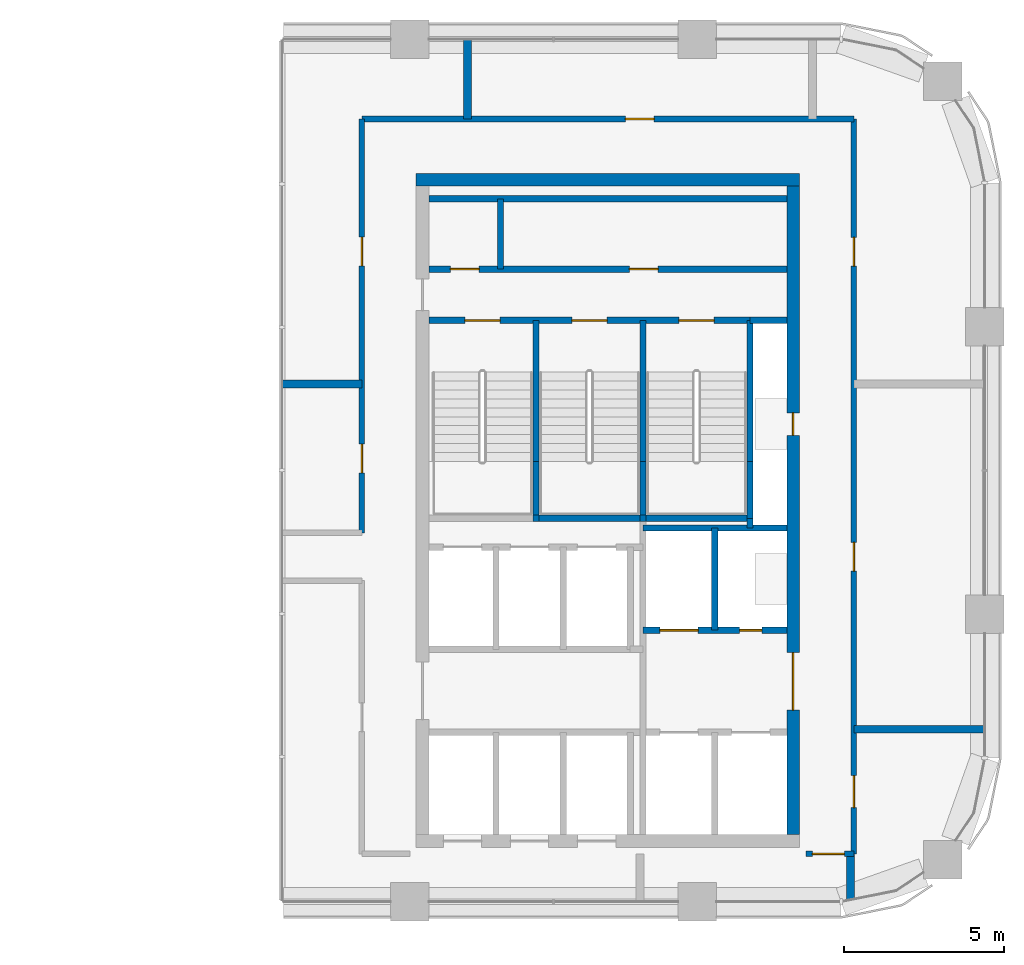
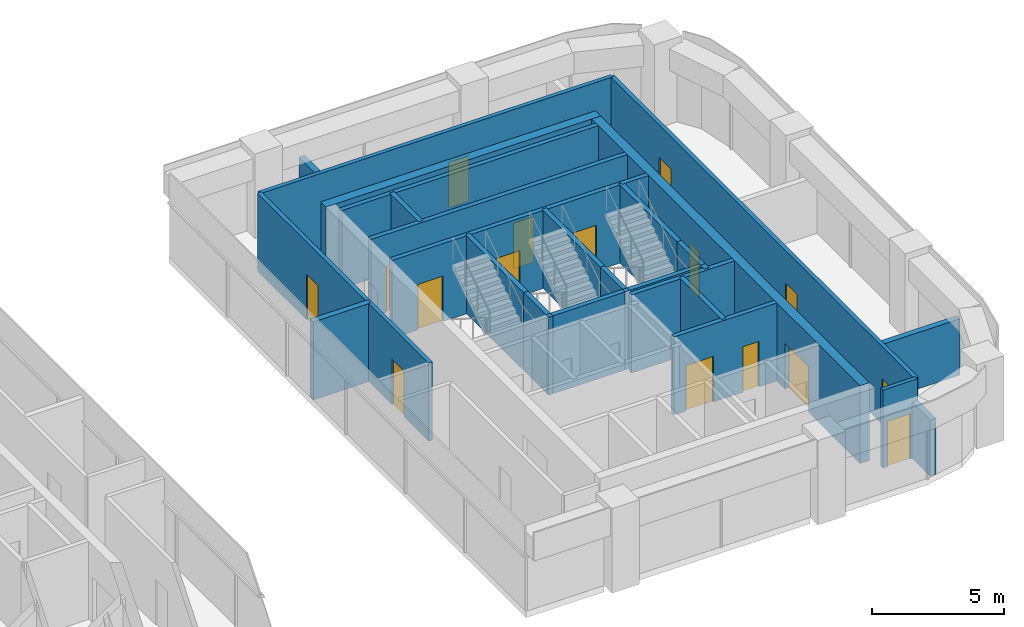
# One storey, part 8 of 12: 29 walls, 16 doors, 16 openings.
"""IFC4 building model written with IfcOpenShell, lengths in metres."""

from ifc_helpers import new_model, si_unit, direction, frame, frame_2d, origin, place, context, subcontext, project, spatial, rectangle, extrude, material, layer, layer_set, type_object, element, fill, save


model = new_model("IFC4")

# Units and contexts
model_context = context("Model", 3, precision=1e-05, world=origin(), true_north=direction((0.0, 1.0)))
body_context = subcontext(model_context, "Body", "Model", "MODEL_VIEW")
ifc_project = project(units=[si_unit("LENGTHUNIT", "METRE"), si_unit("AREAUNIT", "SQUARE_METRE"), si_unit("VOLUMEUNIT", "CUBIC_METRE"), si_unit("PLANEANGLEUNIT", "RADIAN"), si_unit("MASSUNIT", "GRAM", prefix="KILO")], contexts=[model_context])

# Site, building, storey
site_placement = place(None, origin())
site = spatial("IfcSite", under=ifc_project, at=site_placement, CompositionType="ELEMENT")
building_placement = place(site_placement, origin())
building = spatial("IfcBuilding", under=site, at=building_placement, Name="Tessera Arch", CompositionType="ELEMENT")
storey_placement = place(building_placement, frame((0.0, 0.0, 207.199951171875)))
storey = spatial("IfcBuildingStorey", under=building, at=storey_placement, Name="L49", CompositionType="ELEMENT", Elevation=207.199951171875)

# Wall
ifc_material_1 = material(Name="Gypsum board on steel stud", Category="steel")
ifc_layer_1 = layer(ifc_material_1, 0.125)
ifc_layer_set_1 = layer_set([ifc_layer_1], Name="Core partition 125 EI 60")
wall_type_1 = type_object("IfcWallType", Name="Core partition 125 EI 60", PredefinedType="PARTITIONING", material=ifc_layer_set_1)
wall_1_placement = place(storey_placement, frame((38.840087890625, 46.800048828125, 0.0), z_axis=(0.0, 0.0, 1.0), x_axis=(0.0, 1.0, 0.0)))
element("IfcWall", 1, at=wall_1_placement, inside=storey, type_object=wall_type_1, Name="L49 C1 partition wall 3", PredefinedType="PARTITIONING", context=body_context, shape_type="SweptSolid", body=[
    extrude(rectangle(XDim=2.199951171875, YDim=0.199951171875, at=frame_2d((1.10009765625, 0.0))), origin(), (0.0, 0.0, 1.0), 3.60009765625),
])

# Wall, openings, doors
wall_2_placement = place(storey_placement, frame((36.60009765625, 46.800048828125, 0.0), z_axis=(0.0, 0.0, 1.0), x_axis=(1.0, 0.0, 0.0)))
wall_2 = element("IfcWall", 2, at=wall_2_placement, inside=storey, type_object=wall_type_1, Name="L49 C1 partition wall 31", PredefinedType="PARTITIONING", context=body_context, shape_type="SweptSolid", body=[
    extrude(rectangle(XDim=11.199951171875, YDim=0.199951171875, at=frame_2d((5.60009765625, 0.0))), origin(), (0.0, 0.0, 1.0), 3.60009765625),
])
opening_1_placement = place(wall_2_placement, frame((0.669921875, 0.0, 0.0)))
opening_1 = element("IfcOpeningElement", 3, at=opening_1_placement, cuts=wall_2, Name="Opening L49-C18", PredefinedType="OPENING", context=body_context, shape_type="SweptSolid", body=[
    extrude(rectangle(XDim=0.89990234375, YDim=2.10009765625, at=frame_2d((0.449951171875, 1.050048828125))), frame((0.0, 0.10986328125, 0.0), z_axis=(0.0, -1.0, 0.0), x_axis=(1.0, 0.0, 0.0)), (0.0, 0.0, 1.0), 0.219970703125),
])
opening_2_placement = place(wall_2_placement, frame((6.27001953125, 0.0, 0.0)))
opening_2 = element("IfcOpeningElement", 4, at=opening_2_placement, cuts=wall_2, Name="Opening L49-C19", PredefinedType="OPENING", context=body_context, shape_type="SweptSolid", body=[
    extrude(rectangle(XDim=0.89990234375, YDim=2.10009765625, at=frame_2d((0.449951171875, 1.050048828125))), frame((0.0, 0.10986328125, 0.0), z_axis=(0.0, -1.0, 0.0), x_axis=(1.0, 0.0, 0.0)), (0.0, 0.0, 1.0), 0.219970703125),
])
ifc_material_2 = material(Name="Steel door leaf", Category="steel")
door_type_1 = type_object("IfcDoorType", Name="Store door FD30S 900 x 2100", OperationType="SINGLE_SWING_LEFT", PredefinedType="DOOR", material=ifc_material_2)
door_1_placement = place(opening_1_placement, origin())
door_1 = element("IfcDoor", 5, at=door_1_placement, inside=storey, type_object=door_type_1, Name="L49 C1 door 18 C18 type D09", OperationType="SINGLE_SWING_LEFT", OverallHeight=2.10009765625, OverallWidth=0.89990234375, PredefinedType="DOOR", context=body_context, shape_type="SweptSolid", body=[
    extrude(rectangle(XDim=0.89990234375, YDim=2.10009765625, at=frame_2d((0.449951171875, 1.050048828125))), frame((0.0, 0.02490234375, 0.0), z_axis=(0.0, -1.0, 0.0), x_axis=(1.0, 0.0, 0.0)), (0.0, 0.0, 1.0), 0.050048828125),
])
fill(opening_1, door_1)
door_2_placement = place(opening_2_placement, origin())
door_2 = element("IfcDoor", 6, at=door_2_placement, inside=storey, type_object=door_type_1, Name="L49 C1 door 19 C19 type D09", OperationType="SINGLE_SWING_RIGHT", OverallHeight=2.10009765625, OverallWidth=0.89990234375, PredefinedType="DOOR", context=body_context, shape_type="SweptSolid", body=[
    extrude(rectangle(XDim=0.89990234375, YDim=2.10009765625, at=frame_2d((0.449951171875, 1.050048828125))), frame((0.0, 0.02490234375, 0.0), z_axis=(0.0, -1.0, 0.0), x_axis=(1.0, 0.0, 0.0)), (0.0, 0.0, 1.0), 0.050048828125),
])
fill(opening_2, door_2)

# Walls
wall_3_placement = place(storey_placement, frame((36.60009765625, 49.0, 0.0), z_axis=(0.0, 0.0, 1.0), x_axis=(1.0, 0.0, 0.0)))
element("IfcWall", 7, at=wall_3_placement, inside=storey, type_object=wall_type_1, Name="L49 C1 partition wall 32", PredefinedType="PARTITIONING", context=body_context, shape_type="SweptSolid", body=[
    extrude(rectangle(XDim=11.199951171875, YDim=0.199951171875, at=frame_2d((5.60009765625, 0.0))), origin(), (0.0, 0.0, 1.0), 3.60009765625),
])
ifc_material_3 = material(Name="Concrete C50/60", Category="concrete")
ifc_layer_2 = layer(ifc_material_3, 0.39990234375)
ifc_layer_set_2 = layer_set([ifc_layer_2], Name="Core shell wall 400 C50-60")
wall_type_2 = type_object("IfcWallType", Name="Core shell wall 400 C50-60", PredefinedType="SHEAR", material=ifc_layer_set_2)
wall_4_placement = place(storey_placement, frame((36.199951171875, 49.60009765625, 0.0), z_axis=(0.0, 0.0, 1.0), x_axis=(1.0, 0.0, 0.0)))
element("IfcWall", 8, at=wall_4_placement, inside=storey, type_object=wall_type_2, Name="L49 C1 core wall N", PredefinedType="SHEAR", context=body_context, shape_type="SweptSolid", body=[
    extrude(rectangle(XDim=12.0, YDim=0.39990234375, at=frame_2d((6.0, 0.0))), origin(), (0.0, 0.0, 1.0), 3.60009765625),
])

# Wall, openings, doors
wall_5_placement = place(storey_placement, frame((48.0, 29.10009765625, 0.0), z_axis=(0.0, 0.0, 1.0), x_axis=(0.0, 1.0, 0.0)))
wall_5 = element("IfcWall", 9, at=wall_5_placement, inside=storey, type_object=wall_type_2, Name="L49 C1 core wall E", PredefinedType="SHEAR", context=body_context, shape_type="SweptSolid", body=[
    extrude(rectangle(XDim=20.2998046875, YDim=0.39990234375, at=frame_2d((10.14990234375, 0.0))), origin(), (0.0, 0.0, 1.0), 3.60009765625),
])
opening_3_placement = place(wall_5_placement, frame((12.5, 0.0, 0.0)))
opening_3 = element("IfcOpeningElement", 10, at=opening_3_placement, cuts=wall_5, Name="Opening L49-C14", PredefinedType="OPENING", context=body_context, shape_type="SweptSolid", body=[
    extrude(rectangle(XDim=0.699951171875, YDim=2.10009765625, at=frame_2d((0.35009765625, 1.050048828125))), frame((0.0, 0.2099609375, 0.0), z_axis=(0.0, -1.0, 0.0), x_axis=(1.0, 0.0, 0.0)), (0.0, 0.0, 1.0), 0.419921875),
])
opening_4_placement = place(wall_5_placement, frame((3.89990234375, 0.0, 0.0)))
opening_4 = element("IfcOpeningElement", 11, at=opening_4_placement, cuts=wall_5, Name="Opening L49-C15", PredefinedType="OPENING", context=body_context, shape_type="SweptSolid", body=[
    extrude(rectangle(XDim=1.800048828125, YDim=2.10009765625, at=frame_2d((0.89990234375, 1.050048828125))), frame((0.0, 0.2099609375, 0.0), z_axis=(0.0, -1.0, 0.0), x_axis=(1.0, 0.0, 0.0)), (0.0, 0.0, 1.0), 0.419921875),
])
ifc_material_4 = material(Name="Glazed steel door leaf", Category="steel")
door_type_2 = type_object("IfcDoorType", Name="Lobby double door FD60 1800 x 2100", OperationType="DOUBLE_DOOR_SINGLE_SWING", PredefinedType="DOOR", material=ifc_material_4)
door_3_placement = place(opening_4_placement, origin())
door_3 = element("IfcDoor", 12, at=door_3_placement, inside=storey, type_object=door_type_2, Name="L49 C1 door 15 C15 type D19", OperationType="DOUBLE_DOOR_SINGLE_SWING", OverallHeight=2.10009765625, OverallWidth=1.800048828125, PredefinedType="DOOR", context=body_context, shape_type="SweptSolid", body=[
    extrude(rectangle(XDim=1.800048828125, YDim=2.10009765625, at=frame_2d((0.89990234375, 1.050048828125))), frame((0.0, 0.02490234375, 0.0), z_axis=(0.0, -1.0, 0.0), x_axis=(1.0, 0.0, 0.0)), (0.0, 0.0, 1.0), 0.050048828125),
])
fill(opening_4, door_3)
ifc_material_5 = material(Name="Steel door leaf", Category="steel")
door_type_3 = type_object("IfcDoorType", Name="Service shaft door FD60 700 x 2100", OperationType="SINGLE_SWING_LEFT", PredefinedType="DOOR", material=ifc_material_5)
door_4_placement = place(opening_3_placement, origin())
door_4 = element("IfcDoor", 13, at=door_4_placement, inside=storey, type_object=door_type_3, Name="L49 C1 door 14 C14 type D07", OperationType="SINGLE_SWING_RIGHT", OverallHeight=2.10009765625, OverallWidth=0.699951171875, PredefinedType="DOOR", context=body_context, shape_type="SweptSolid", body=[
    extrude(rectangle(XDim=0.699951171875, YDim=2.10009765625, at=frame_2d((0.35009765625, 1.050048828125))), frame((0.0, 0.02490234375, 0.0), z_axis=(0.0, -1.0, 0.0), x_axis=(1.0, 0.0, 0.0)), (0.0, 0.0, 1.0), 0.050048828125),
])
fill(opening_3, door_4)

# Wall, opening, door
ifc_material_6 = material(Name="Gypsum board on deep steel stud with mineral wool", Category="steel")
ifc_layer_3 = layer(ifc_material_6, 0.175048828125)
ifc_layer_set_3 = layer_set([ifc_layer_3], Name="Corridor wall 175 EI 60")
wall_type_3 = type_object("IfcWallType", Name="Corridor wall 175 EI 60", PredefinedType="PARTITIONING", material=ifc_layer_set_3)
wall_6_placement = place(storey_placement, frame((48.39990234375, 28.5, 0.0), z_axis=(0.0, 0.0, 1.0), x_axis=(1.0, 0.0, 0.0)))
wall_6 = element("IfcWall", 14, at=wall_6_placement, inside=storey, type_object=wall_type_3, Name="L49 partition 4", PredefinedType="PARTITIONING", context=body_context, shape_type="SweptSolid", body=[
    extrude(rectangle(XDim=1.5, YDim=0.175048828125, at=frame_2d((0.75, 0.0))), origin(), (0.0, 0.0, 1.0), 3.60009765625),
])
opening_5_placement = place(wall_6_placement, frame((0.200439453125, 0.0, 0.0)))
opening_5 = element("IfcOpeningElement", 15, at=opening_5_placement, cuts=wall_6, Name="Opening L49-D001", PredefinedType="OPENING", context=body_context, shape_type="SweptSolid", body=[
    extrude(rectangle(XDim=1.0, YDim=2.10009765625, at=frame_2d((0.5, 1.050048828125))), frame((0.0, 0.097412109375, 0.0), z_axis=(0.0, -1.0, 0.0), x_axis=(1.0, 0.0, 0.0)), (0.0, 0.0, 1.0), 0.195068359375),
])
ifc_material_7 = material(Name="Fire-rated door leaf")
door_type_4 = type_object("IfcDoorType", Name="Entrance door FD30S 1000 x 2100", OperationType="SINGLE_SWING_LEFT", PredefinedType="DOOR", material=ifc_material_7)
door_5_placement = place(opening_5_placement, origin())
door_5 = element("IfcDoor", 16, at=door_5_placement, inside=storey, type_object=door_type_4, Name="L49 door D001 type D03", OperationType="SINGLE_SWING_RIGHT", OverallHeight=2.10009765625, OverallWidth=1.0, PredefinedType="DOOR", context=body_context, shape_type="SweptSolid", body=[
    extrude(rectangle(XDim=1.0, YDim=2.10009765625, at=frame_2d((0.5, 1.050048828125))), frame((0.0, 0.02490234375, 0.0), z_axis=(0.0, -1.0, 0.0), x_axis=(1.0, 0.0, 0.0)), (0.0, 0.0, 1.0), 0.050048828125),
])
fill(opening_5, door_5)

wall_7_placement = place(storey_placement, frame((34.5, 51.5, 0.0), z_axis=(0.0, 0.0, 1.0), x_axis=(1.0, 0.0, 0.0)))
wall_7 = element("IfcWall", 17, at=wall_7_placement, inside=storey, type_object=wall_type_3, Name="L49 partition 10", PredefinedType="PARTITIONING", context=body_context, shape_type="SweptSolid", body=[
    extrude(rectangle(XDim=15.39990234375, YDim=0.175048828125, at=frame_2d((7.699951171875, 0.0))), origin(), (0.0, 0.0, 1.0), 3.60009765625),
])
opening_6_placement = place(wall_7_placement, frame((8.25, 0.0, 0.0)))
opening_6 = element("IfcOpeningElement", 18, at=opening_6_placement, cuts=wall_7, Name="Opening L49-D015", PredefinedType="OPENING", context=body_context, shape_type="SweptSolid", body=[
    extrude(rectangle(XDim=0.89990234375, YDim=2.10009765625, at=frame_2d((0.449951171875, 1.050048828125))), frame((0.0, 0.097412109375, 0.0), z_axis=(0.0, -1.0, 0.0), x_axis=(1.0, 0.0, 0.0)), (0.0, 0.0, 1.0), 0.195068359375),
])
ifc_material_8 = material(Name="Timber door leaf", Category="wood")
door_type_5 = type_object("IfcDoorType", Name="Room door 900 x 2100", OperationType="SINGLE_SWING_LEFT", PredefinedType="DOOR", material=ifc_material_8)
door_6_placement = place(opening_6_placement, origin())
door_6 = element("IfcDoor", 19, at=door_6_placement, inside=storey, type_object=door_type_5, Name="L49 door D015 type D01", OperationType="SINGLE_SWING_LEFT", OverallHeight=2.10009765625, OverallWidth=0.89990234375, PredefinedType="DOOR", context=body_context, shape_type="SweptSolid", body=[
    extrude(rectangle(XDim=0.89990234375, YDim=2.10009765625, at=frame_2d((0.449951171875, 1.050048828125))), frame((0.0, 0.02490234375, 0.0), z_axis=(0.0, -1.0, 0.0), x_axis=(1.0, 0.0, 0.0)), (0.0, 0.0, 1.0), 0.050048828125),
])
fill(opening_6, door_6)

# Wall, openings, doors
wall_8_placement = place(storey_placement, frame((34.5, 38.550048828125, 0.0), z_axis=(0.0, 0.0, 1.0), x_axis=(0.0, 1.0, 0.0)))
wall_8 = element("IfcWall", 20, at=wall_8_placement, inside=storey, type_object=wall_type_3, Name="L49 partition 15", PredefinedType="PARTITIONING", context=body_context, shape_type="SweptSolid", body=[
    extrude(rectangle(XDim=12.949951171875, YDim=0.175048828125, at=frame_2d((6.47509765625, 0.0))), origin(), (0.0, 0.0, 1.0), 3.60009765625),
])
opening_7_placement = place(wall_8_placement, frame((1.875, 0.0, 0.0)))
opening_7 = element("IfcOpeningElement", 21, at=opening_7_placement, cuts=wall_8, Name="Opening L49-D009", PredefinedType="OPENING", context=body_context, shape_type="SweptSolid", body=[
    extrude(rectangle(XDim=0.89990234375, YDim=2.10009765625, at=frame_2d((0.449951171875, 1.050048828125))), frame((0.0, 0.097412109375, 0.0), z_axis=(0.0, -1.0, 0.0), x_axis=(1.0, 0.0, 0.0)), (0.0, 0.0, 1.0), 0.195068359375),
])
opening_8_placement = place(wall_8_placement, frame((8.35009765625, 0.0, 0.0)))
opening_8 = element("IfcOpeningElement", 22, at=opening_8_placement, cuts=wall_8, Name="Opening L49-D013", PredefinedType="OPENING", context=body_context, shape_type="SweptSolid", body=[
    extrude(rectangle(XDim=0.89990234375, YDim=2.10009765625, at=frame_2d((0.449951171875, 1.050048828125))), frame((0.0, 0.097412109375, 0.0), z_axis=(0.0, -1.0, 0.0), x_axis=(1.0, 0.0, 0.0)), (0.0, 0.0, 1.0), 0.195068359375),
])
door_7_placement = place(opening_7_placement, origin())
door_7 = element("IfcDoor", 23, at=door_7_placement, inside=storey, type_object=door_type_5, Name="L49 door D009 type D01", OperationType="SINGLE_SWING_LEFT", OverallHeight=2.10009765625, OverallWidth=0.89990234375, PredefinedType="DOOR", context=body_context, shape_type="SweptSolid", body=[
    extrude(rectangle(XDim=0.89990234375, YDim=2.10009765625, at=frame_2d((0.449951171875, 1.050048828125))), frame((0.0, 0.02490234375, 0.0), z_axis=(0.0, -1.0, 0.0), x_axis=(1.0, 0.0, 0.0)), (0.0, 0.0, 1.0), 0.050048828125),
])
fill(opening_7, door_7)
door_8_placement = place(opening_8_placement, origin())
door_8 = element("IfcDoor", 24, at=door_8_placement, inside=storey, type_object=door_type_5, Name="L49 door D013 type D01", OperationType="SINGLE_SWING_LEFT", OverallHeight=2.10009765625, OverallWidth=0.89990234375, PredefinedType="DOOR", context=body_context, shape_type="SweptSolid", body=[
    extrude(rectangle(XDim=0.89990234375, YDim=2.10009765625, at=frame_2d((0.449951171875, 1.050048828125))), frame((0.0, 0.02490234375, 0.0), z_axis=(0.0, -1.0, 0.0), x_axis=(1.0, 0.0, 0.0)), (0.0, 0.0, 1.0), 0.050048828125),
])
fill(opening_8, door_8)

wall_9_placement = place(storey_placement, frame((49.89990234375, 28.5, 0.0), z_axis=(0.0, 0.0, 1.0), x_axis=(0.0, 1.0, 0.0)))
wall_9 = element("IfcWall", 25, at=wall_9_placement, inside=storey, type_object=wall_type_3, Name="L49 partition 16", PredefinedType="PARTITIONING", context=body_context, shape_type="SweptSolid", body=[
    extrude(rectangle(XDim=23.0, YDim=0.175048828125, at=frame_2d((11.5, 0.0))), origin(), (0.0, 0.0, 1.0), 3.60009765625),
])
opening_9_placement = place(wall_9_placement, frame((1.449951171875, 0.0, 0.0)))
opening_9 = element("IfcOpeningElement", 26, at=opening_9_placement, cuts=wall_9, Name="Opening L49-D002", PredefinedType="OPENING", context=body_context, shape_type="SweptSolid", body=[
    extrude(rectangle(XDim=1.0, YDim=2.10009765625, at=frame_2d((0.5, 1.050048828125))), frame((0.0, 0.097412109375, 0.0), z_axis=(0.0, -1.0, 0.0), x_axis=(1.0, 0.0, 0.0)), (0.0, 0.0, 1.0), 0.195068359375),
])
opening_10_placement = place(wall_9_placement, frame((8.85009765625, 0.0, 0.0)))
opening_10 = element("IfcOpeningElement", 27, at=opening_10_placement, cuts=wall_9, Name="Opening L49-D006", PredefinedType="OPENING", context=body_context, shape_type="SweptSolid", body=[
    extrude(rectangle(XDim=0.89990234375, YDim=2.10009765625, at=frame_2d((0.449951171875, 1.050048828125))), frame((0.0, 0.097412109375, 0.0), z_axis=(0.0, -1.0, 0.0), x_axis=(1.0, 0.0, 0.0)), (0.0, 0.0, 1.0), 0.195068359375),
])
opening_11_placement = place(wall_9_placement, frame((18.39990234375, 0.0, 0.0)))
opening_11 = element("IfcOpeningElement", 28, at=opening_11_placement, cuts=wall_9, Name="Opening L49-D011", PredefinedType="OPENING", context=body_context, shape_type="SweptSolid", body=[
    extrude(rectangle(XDim=0.89990234375, YDim=2.10009765625, at=frame_2d((0.449951171875, 1.050048828125))), frame((0.0, 0.097412109375, 0.0), z_axis=(0.0, -1.0, 0.0), x_axis=(1.0, 0.0, 0.0)), (0.0, 0.0, 1.0), 0.195068359375),
])
door_9_placement = place(opening_9_placement, origin())
door_9 = element("IfcDoor", 29, at=door_9_placement, inside=storey, type_object=door_type_4, Name="L49 door D002 type D03", OperationType="SINGLE_SWING_LEFT", OverallHeight=2.10009765625, OverallWidth=1.0, PredefinedType="DOOR", context=body_context, shape_type="SweptSolid", body=[
    extrude(rectangle(XDim=1.0, YDim=2.10009765625, at=frame_2d((0.5, 1.050048828125))), frame((0.0, 0.02490234375, 0.0), z_axis=(0.0, -1.0, 0.0), x_axis=(1.0, 0.0, 0.0)), (0.0, 0.0, 1.0), 0.050048828125),
])
fill(opening_9, door_9)
door_10_placement = place(opening_10_placement, origin())
door_10 = element("IfcDoor", 30, at=door_10_placement, inside=storey, type_object=door_type_5, Name="L49 door D006 type D01", OperationType="SINGLE_SWING_LEFT", OverallHeight=2.10009765625, OverallWidth=0.89990234375, PredefinedType="DOOR", context=body_context, shape_type="SweptSolid", body=[
    extrude(rectangle(XDim=0.89990234375, YDim=2.10009765625, at=frame_2d((0.449951171875, 1.050048828125))), frame((0.0, 0.02490234375, 0.0), z_axis=(0.0, -1.0, 0.0), x_axis=(1.0, 0.0, 0.0)), (0.0, 0.0, 1.0), 0.050048828125),
])
fill(opening_10, door_10)
door_11_placement = place(opening_11_placement, origin())
door_11 = element("IfcDoor", 31, at=door_11_placement, inside=storey, type_object=door_type_5, Name="L49 door D011 type D01", OperationType="SINGLE_SWING_RIGHT", OverallHeight=2.10009765625, OverallWidth=0.89990234375, PredefinedType="DOOR", context=body_context, shape_type="SweptSolid", body=[
    extrude(rectangle(XDim=0.89990234375, YDim=2.10009765625, at=frame_2d((0.449951171875, 1.050048828125))), frame((0.0, 0.02490234375, 0.0), z_axis=(0.0, -1.0, 0.0), x_axis=(1.0, 0.0, 0.0)), (0.0, 0.0, 1.0), 0.050048828125),
])
fill(opening_11, door_11)

# Walls
ifc_material_9 = material(Name="Double gypsum board on twin steel stud with acoustic mineral wool", Category="steel")
ifc_layer_4 = layer(ifc_material_9, 0.25)
ifc_layer_set_4 = layer_set([ifc_layer_4], Name="Party wall 250 EI 60")
wall_type_4 = type_object("IfcWallType", Name="Party wall 250 EI 60", PredefinedType="PARTITIONING", material=ifc_layer_set_4)
wall_10_placement = place(storey_placement, frame((49.89990234375, 32.39990234375, 0.0), z_axis=(0.0, 0.0, 1.0), x_axis=(1.0, 0.0, 0.0)))
element("IfcWall", 32, at=wall_10_placement, inside=storey, type_object=wall_type_4, Name="L49 partition 17", PredefinedType="PARTITIONING", context=body_context, shape_type="SweptSolid", body=[
    extrude(rectangle(XDim=4.10009765625, YDim=0.25, at=frame_2d((2.050048828125, 0.0))), origin(), (0.0, 0.0, 1.0), 2.60009765625),
])
wall_11_placement = place(storey_placement, frame((32.0, 43.199951171875, 0.0), z_axis=(0.0, 0.0, 1.0), x_axis=(1.0, 0.0, 0.0)))
element("IfcWall", 33, at=wall_11_placement, inside=storey, type_object=wall_type_4, Name="L49 partition 21", PredefinedType="PARTITIONING", context=body_context, shape_type="SweptSolid", body=[
    extrude(rectangle(XDim=2.5, YDim=0.25, at=frame_2d((1.25, 0.0))), origin(), (0.0, 0.0, 1.0), 3.60009765625),
])
wall_12_placement = place(storey_placement, frame((37.800048828125, 51.5, 0.0), z_axis=(0.0, 0.0, 1.0), x_axis=(0.0, 1.0, 0.0)))
element("IfcWall", 34, at=wall_12_placement, inside=storey, type_object=wall_type_4, Name="L49 partition 26", PredefinedType="PARTITIONING", context=body_context, shape_type="SweptSolid", body=[
    extrude(rectangle(XDim=2.5, YDim=0.25, at=frame_2d((1.25, 0.0))), origin(), (0.0, 0.0, 1.0), 2.60009765625),
])
wall_13_placement = place(storey_placement, frame((49.801025390625, 27.059814453125, 0.0), z_axis=(0.0, 0.0, 1.0), x_axis=(0.0, 1.0, 0.0)))
element("IfcWall", 35, at=wall_13_placement, inside=storey, type_object=wall_type_4, Name="L49 partition 29", PredefinedType="PARTITIONING", context=body_context, shape_type="SweptSolid", body=[
    extrude(rectangle(XDim=1.440185546875, YDim=0.25, at=frame_2d((0.72021484375, 0.0))), origin(), (0.0, 0.0, 1.0), 2.60009765625),
])
ifc_material_10 = material(Name="Concrete C40/50", Category="concrete")
ifc_layer_5 = layer(ifc_material_10, 0.199951171875)
ifc_layer_set_5 = layer_set([ifc_layer_5], Name="Shaft wall 200 EI 120")
wall_type_5 = type_object("IfcWallType", Name="Shaft wall 200 EI 120", PredefinedType="SOLIDWALL", material=ifc_layer_set_5)
wall_14_placement = place(storey_placement, frame((45.550048828125, 35.5, 0.0), z_axis=(0.0, 0.0, 1.0), x_axis=(0.0, 1.0, 0.0)))
element("IfcWall", 36, at=wall_14_placement, inside=storey, type_object=wall_type_5, Name="L49 C1 shaft wall 14", PredefinedType="SOLIDWALL", context=body_context, shape_type="SweptSolid", body=[
    extrude(rectangle(XDim=3.199951171875, YDim=0.199951171875, at=frame_2d((1.60009765625, 0.0))), origin(), (0.0, 0.0, 1.0), 3.60009765625),
])
wall_15_placement = place(storey_placement, frame((46.64990234375, 38.699951171875, 0.0), z_axis=(0.0, 0.0, 1.0), x_axis=(0.0, 1.0, 0.0)))
element("IfcWall", 37, at=wall_15_placement, inside=storey, type_object=wall_type_5, Name="L49 C1 shaft wall 15", PredefinedType="SOLIDWALL", context=body_context, shape_type="SweptSolid", body=[
    extrude(rectangle(XDim=0.300048828125, YDim=0.199951171875, at=frame_2d((0.14990234375, 0.0))), origin(), (0.0, 0.0, 1.0), 3.60009765625),
])

# Wall, openings, doors
wall_16_placement = place(storey_placement, frame((43.300048828125, 35.5, 0.0), z_axis=(0.0, 0.0, 1.0), x_axis=(1.0, 0.0, 0.0)))
wall_16 = element("IfcWall", 38, at=wall_16_placement, inside=storey, type_object=wall_type_5, Name="L49 C1 shaft wall 21", PredefinedType="SOLIDWALL", context=body_context, shape_type="SweptSolid", body=[
    extrude(rectangle(XDim=4.5, YDim=0.199951171875, at=frame_2d((2.25, 0.0))), origin(), (0.0, 0.0, 1.0), 3.60009765625),
])
opening_12_placement = place(wall_16_placement, frame((0.52490234375, 0.0, 0.0)))
opening_12 = element("IfcOpeningElement", 39, at=opening_12_placement, cuts=wall_16, Name="Opening L49-C09", PredefinedType="OPENING", context=body_context, shape_type="SweptSolid", body=[
    extrude(rectangle(XDim=1.199951171875, YDim=2.10009765625, at=frame_2d((0.60009765625, 1.050048828125))), frame((0.0, 0.10986328125, 0.0), z_axis=(0.0, -1.0, 0.0), x_axis=(1.0, 0.0, 0.0)), (0.0, 0.0, 1.0), 0.219970703125),
])
opening_13_placement = place(wall_16_placement, frame((3.02490234375, 0.0, 0.0)))
opening_13 = element("IfcOpeningElement", 40, at=opening_13_placement, cuts=wall_16, Name="Opening L49-C16", PredefinedType="OPENING", context=body_context, shape_type="SweptSolid", body=[
    extrude(rectangle(XDim=0.699951171875, YDim=2.10009765625, at=frame_2d((0.35009765625, 1.050048828125))), frame((0.0, 0.10986328125, 0.0), z_axis=(0.0, -1.0, 0.0), x_axis=(1.0, 0.0, 0.0)), (0.0, 0.0, 1.0), 0.219970703125),
])
door_12_placement = place(opening_13_placement, origin())
door_12 = element("IfcDoor", 41, at=door_12_placement, inside=storey, type_object=door_type_3, Name="L49 C1 door 16 C16 type D07", OperationType="SINGLE_SWING_RIGHT", OverallHeight=2.10009765625, OverallWidth=0.699951171875, PredefinedType="DOOR", context=body_context, shape_type="SweptSolid", body=[
    extrude(rectangle(XDim=0.699951171875, YDim=2.10009765625, at=frame_2d((0.35009765625, 1.050048828125))), frame((0.0, 0.02490234375, 0.0), z_axis=(0.0, -1.0, 0.0), x_axis=(1.0, 0.0, 0.0)), (0.0, 0.0, 1.0), 0.050048828125),
])
fill(opening_13, door_12)
ifc_material_11 = material(Name="Stainless steel AISI 304", Category="steel")
door_type_6 = type_object("IfcDoorType", Name="Sliding landing door 1200 x 2100", OperationType="SLIDING_TO_LEFT", PredefinedType="DOOR", material=ifc_material_11)
door_13_placement = place(opening_12_placement, origin())
door_13 = element("IfcDoor", 42, at=door_13_placement, inside=storey, type_object=door_type_6, Name="L49 SV2 lift landing door C09 type LD", OperationType="SLIDING_TO_LEFT", OverallHeight=2.10009765625, OverallWidth=1.199951171875, PredefinedType="DOOR", context=body_context, shape_type="SweptSolid", body=[
    extrude(rectangle(XDim=1.199951171875, YDim=2.10009765625, at=frame_2d((0.60009765625, 1.050048828125))), frame((0.0, 0.02490234375, 0.0), z_axis=(0.0, -1.0, 0.0), x_axis=(1.0, 0.0, 0.0)), (0.0, 0.0, 1.0), 0.050048828125),
])
fill(opening_12, door_13)

# Walls
wall_17_placement = place(storey_placement, frame((43.300048828125, 38.699951171875, 0.0), z_axis=(0.0, 0.0, 1.0), x_axis=(1.0, 0.0, 0.0)))
element("IfcWall", 43, at=wall_17_placement, inside=storey, type_object=wall_type_5, Name="L49 C1 shaft wall 23", PredefinedType="SOLIDWALL", context=body_context, shape_type="SweptSolid", body=[
    extrude(rectangle(XDim=4.5, YDim=0.199951171875, at=frame_2d((2.25, 0.0))), origin(), (0.0, 0.0, 1.0), 3.60009765625),
])
wall_18_placement = place(storey_placement, frame((46.64990234375, 45.199951171875, 0.0), z_axis=(0.0, 0.0, 1.0), x_axis=(1.0, 0.0, 0.0)))
element("IfcWall", 44, at=wall_18_placement, inside=storey, type_object=wall_type_5, Name="L49 C1 shaft wall 29", PredefinedType="SOLIDWALL", context=body_context, shape_type="SweptSolid", body=[
    extrude(rectangle(XDim=1.150146484375, YDim=0.199951171875, at=frame_2d((0.5751953125, 0.0))), origin(), (0.0, 0.0, 1.0), 3.60009765625),
])
ifc_material_12 = material(Name="Concrete C40/50", Category="concrete")
ifc_layer_6 = layer(ifc_material_12, 0.199951171875)
ifc_layer_set_6 = layer_set([ifc_layer_6], Name="Stair well wall 200 REI 180")
wall_type_6 = type_object("IfcWallType", Name="Stair well wall 200 REI 180", PredefinedType="SOLIDWALL", material=ifc_layer_set_6)
wall_19_placement = place(storey_placement, frame((39.949951171875, 39.0, 0.0), z_axis=(0.0, 0.0, 1.0), x_axis=(0.0, 1.0, 0.0)))
element("IfcWall", 45, at=wall_19_placement, inside=storey, type_object=wall_type_6, Name="L49 C1 shaft wall 4", PredefinedType="SOLIDWALL", context=body_context, shape_type="SweptSolid", body=[
    extrude(rectangle(XDim=1.780029296875, YDim=0.199951171875, at=frame_2d((0.89013671875, 0.0))), origin(), (0.0, 0.0, 1.0), 3.60009765625),
])
wall_20_placement = place(storey_placement, frame((39.949951171875, 40.780029296875, 0.0), z_axis=(0.0, 0.0, 1.0), x_axis=(0.0, 1.0, 0.0)))
element("IfcWall", 46, at=wall_20_placement, inside=storey, type_object=wall_type_6, Name="L49 C1 shaft wall 5", PredefinedType="SOLIDWALL", context=body_context, shape_type="SweptSolid", body=[
    extrude(rectangle(XDim=4.419921875, YDim=0.199951171875, at=frame_2d((2.2099609375, 0.0))), origin(), (0.0, 0.0, 1.0), 3.60009765625),
])
wall_21_placement = place(storey_placement, frame((43.300048828125, 39.0, 0.0), z_axis=(0.0, 0.0, 1.0), x_axis=(0.0, 1.0, 0.0)))
element("IfcWall", 47, at=wall_21_placement, inside=storey, type_object=wall_type_6, Name="L49 C1 shaft wall 11", PredefinedType="SOLIDWALL", context=body_context, shape_type="SweptSolid", body=[
    extrude(rectangle(XDim=1.780029296875, YDim=0.199951171875, at=frame_2d((0.89013671875, 0.0))), origin(), (0.0, 0.0, 1.0), 3.60009765625),
])
wall_22_placement = place(storey_placement, frame((43.300048828125, 40.780029296875, 0.0), z_axis=(0.0, 0.0, 1.0), x_axis=(0.0, 1.0, 0.0)))
element("IfcWall", 48, at=wall_22_placement, inside=storey, type_object=wall_type_6, Name="L49 C1 shaft wall 12", PredefinedType="SOLIDWALL", context=body_context, shape_type="SweptSolid", body=[
    extrude(rectangle(XDim=4.419921875, YDim=0.199951171875, at=frame_2d((2.2099609375, 0.0))), origin(), (0.0, 0.0, 1.0), 3.60009765625),
])
wall_23_placement = place(storey_placement, frame((46.64990234375, 39.0, 0.0), z_axis=(0.0, 0.0, 1.0), x_axis=(0.0, 1.0, 0.0)))
element("IfcWall", 49, at=wall_23_placement, inside=storey, type_object=wall_type_6, Name="L49 C1 shaft wall 16", PredefinedType="SOLIDWALL", context=body_context, shape_type="SweptSolid", body=[
    extrude(rectangle(XDim=1.780029296875, YDim=0.199951171875, at=frame_2d((0.89013671875, 0.0))), origin(), (0.0, 0.0, 1.0), 3.60009765625),
])
wall_24_placement = place(storey_placement, frame((46.64990234375, 40.780029296875, 0.0), z_axis=(0.0, 0.0, 1.0), x_axis=(0.0, 1.0, 0.0)))
element("IfcWall", 50, at=wall_24_placement, inside=storey, type_object=wall_type_6, Name="L49 C1 shaft wall 17", PredefinedType="SOLIDWALL", context=body_context, shape_type="SweptSolid", body=[
    extrude(rectangle(XDim=4.419921875, YDim=0.199951171875, at=frame_2d((2.2099609375, 0.0))), origin(), (0.0, 0.0, 1.0), 3.60009765625),
])
wall_25_placement = place(storey_placement, frame((39.85009765625, 39.0, 0.0), z_axis=(0.0, 0.0, 1.0), x_axis=(1.0, 0.0, 0.0)))
element("IfcWall", 51, at=wall_25_placement, inside=storey, type_object=wall_type_6, Name="L49 C1 shaft wall 25", PredefinedType="SOLIDWALL", context=body_context, shape_type="SweptSolid", body=[
    extrude(rectangle(XDim=0.199951171875, YDim=0.199951171875, at=frame_2d((0.10009765625, 0.0))), origin(), (0.0, 0.0, 1.0), 3.60009765625),
])
wall_26_placement = place(storey_placement, frame((40.050048828125, 39.0, 0.0), z_axis=(0.0, 0.0, 1.0), x_axis=(1.0, 0.0, 0.0)))
element("IfcWall", 52, at=wall_26_placement, inside=storey, type_object=wall_type_6, Name="L49 C1 shaft wall 26", PredefinedType="SOLIDWALL", context=body_context, shape_type="SweptSolid", body=[
    extrude(rectangle(XDim=3.14990234375, YDim=0.199951171875, at=frame_2d((1.574951171875, 0.0))), origin(), (0.0, 0.0, 1.0), 3.60009765625),
])
wall_27_placement = place(storey_placement, frame((43.199951171875, 39.0, 0.0), z_axis=(0.0, 0.0, 1.0), x_axis=(1.0, 0.0, 0.0)))
element("IfcWall", 53, at=wall_27_placement, inside=storey, type_object=wall_type_6, Name="L49 C1 shaft wall 27", PredefinedType="SOLIDWALL", context=body_context, shape_type="SweptSolid", body=[
    extrude(rectangle(XDim=0.199951171875, YDim=0.199951171875, at=frame_2d((0.10009765625, 0.0))), origin(), (0.0, 0.0, 1.0), 3.60009765625),
])
wall_28_placement = place(storey_placement, frame((43.39990234375, 39.0, 0.0), z_axis=(0.0, 0.0, 1.0), x_axis=(1.0, 0.0, 0.0)))
element("IfcWall", 54, at=wall_28_placement, inside=storey, type_object=wall_type_6, Name="L49 C1 shaft wall 28", PredefinedType="SOLIDWALL", context=body_context, shape_type="SweptSolid", body=[
    extrude(rectangle(XDim=3.25, YDim=0.199951171875, at=frame_2d((1.625, 0.0))), origin(), (0.0, 0.0, 1.0), 3.60009765625),
])

# Wall, openings, doors
wall_29_placement = place(storey_placement, frame((36.60009765625, 45.199951171875, 0.0), z_axis=(0.0, 0.0, 1.0), x_axis=(1.0, 0.0, 0.0)))
wall_29 = element("IfcWall", 55, at=wall_29_placement, inside=storey, type_object=wall_type_6, Name="L49 C1 shaft wall 30", PredefinedType="SOLIDWALL", context=body_context, shape_type="SweptSolid", body=[
    extrude(rectangle(XDim=10.0498046875, YDim=0.199951171875, at=frame_2d((5.02490234375, 0.0))), origin(), (0.0, 0.0, 1.0), 3.60009765625),
])
opening_14_placement = place(wall_29_placement, frame((1.125, 0.0, 0.0)))
opening_14 = element("IfcOpeningElement", 56, at=opening_14_placement, cuts=wall_29, Name="Opening L49-C11", PredefinedType="OPENING", context=body_context, shape_type="SweptSolid", body=[
    extrude(rectangle(XDim=1.10009765625, YDim=2.10009765625, at=frame_2d((0.550048828125, 1.050048828125))), frame((0.0, 0.10986328125, 0.0), z_axis=(0.0, -1.0, 0.0), x_axis=(1.0, 0.0, 0.0)), (0.0, 0.0, 1.0), 0.219970703125),
])
opening_15_placement = place(wall_29_placement, frame((4.47509765625, 0.0, 0.0)))
opening_15 = element("IfcOpeningElement", 57, at=opening_15_placement, cuts=wall_29, Name="Opening L49-C12", PredefinedType="OPENING", context=body_context, shape_type="SweptSolid", body=[
    extrude(rectangle(XDim=1.10009765625, YDim=2.10009765625, at=frame_2d((0.550048828125, 1.050048828125))), frame((0.0, 0.10986328125, 0.0), z_axis=(0.0, -1.0, 0.0), x_axis=(1.0, 0.0, 0.0)), (0.0, 0.0, 1.0), 0.219970703125),
])
opening_16_placement = place(wall_29_placement, frame((7.824951171875, 0.0, 0.0)))
opening_16 = element("IfcOpeningElement", 58, at=opening_16_placement, cuts=wall_29, Name="Opening L49-C13", PredefinedType="OPENING", context=body_context, shape_type="SweptSolid", body=[
    extrude(rectangle(XDim=1.10009765625, YDim=2.10009765625, at=frame_2d((0.550048828125, 1.050048828125))), frame((0.0, 0.10986328125, 0.0), z_axis=(0.0, -1.0, 0.0), x_axis=(1.0, 0.0, 0.0)), (0.0, 0.0, 1.0), 0.219970703125),
])
ifc_material_13 = material(Name="Steel door leaf", Category="steel")
door_type_7 = type_object("IfcDoorType", Name="Stair door FD60 1100 x 2100", OperationType="SINGLE_SWING_LEFT", PredefinedType="DOOR", material=ifc_material_13)
door_14_placement = place(opening_14_placement, origin())
door_14 = element("IfcDoor", 59, at=door_14_placement, inside=storey, type_object=door_type_7, Name="L49 C1 door 11 C11 type D05", OperationType="SINGLE_SWING_LEFT", OverallHeight=2.10009765625, OverallWidth=1.10009765625, PredefinedType="DOOR", context=body_context, shape_type="SweptSolid", body=[
    extrude(rectangle(XDim=1.10009765625, YDim=2.10009765625, at=frame_2d((0.550048828125, 1.050048828125))), frame((0.0, 0.02490234375, 0.0), z_axis=(0.0, -1.0, 0.0), x_axis=(1.0, 0.0, 0.0)), (0.0, 0.0, 1.0), 0.050048828125),
])
fill(opening_14, door_14)
door_15_placement = place(opening_15_placement, origin())
door_15 = element("IfcDoor", 60, at=door_15_placement, inside=storey, type_object=door_type_7, Name="L49 C1 door 12 C12 type D05", OperationType="SINGLE_SWING_RIGHT", OverallHeight=2.10009765625, OverallWidth=1.10009765625, PredefinedType="DOOR", context=body_context, shape_type="SweptSolid", body=[
    extrude(rectangle(XDim=1.10009765625, YDim=2.10009765625, at=frame_2d((0.550048828125, 1.050048828125))), frame((0.0, 0.02490234375, 0.0), z_axis=(0.0, -1.0, 0.0), x_axis=(1.0, 0.0, 0.0)), (0.0, 0.0, 1.0), 0.050048828125),
])
fill(opening_15, door_15)
door_16_placement = place(opening_16_placement, origin())
door_16 = element("IfcDoor", 61, at=door_16_placement, inside=storey, type_object=door_type_7, Name="L49 C1 door 13 C13 type D05", OperationType="SINGLE_SWING_RIGHT", OverallHeight=2.10009765625, OverallWidth=1.10009765625, PredefinedType="DOOR", context=body_context, shape_type="SweptSolid", body=[
    extrude(rectangle(XDim=1.10009765625, YDim=2.10009765625, at=frame_2d((0.550048828125, 1.050048828125))), frame((0.0, 0.02490234375, 0.0), z_axis=(0.0, -1.0, 0.0), x_axis=(1.0, 0.0, 0.0)), (0.0, 0.0, 1.0), 0.050048828125),
])
fill(opening_16, door_16)

save(model, "model.ifc")
